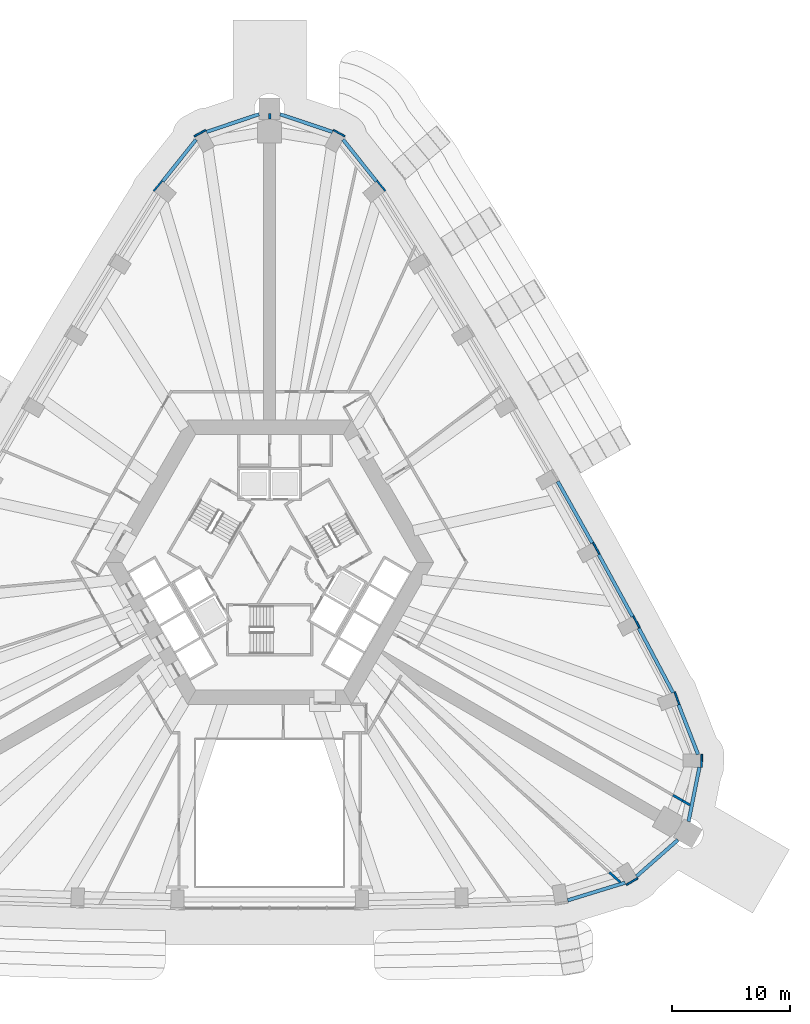
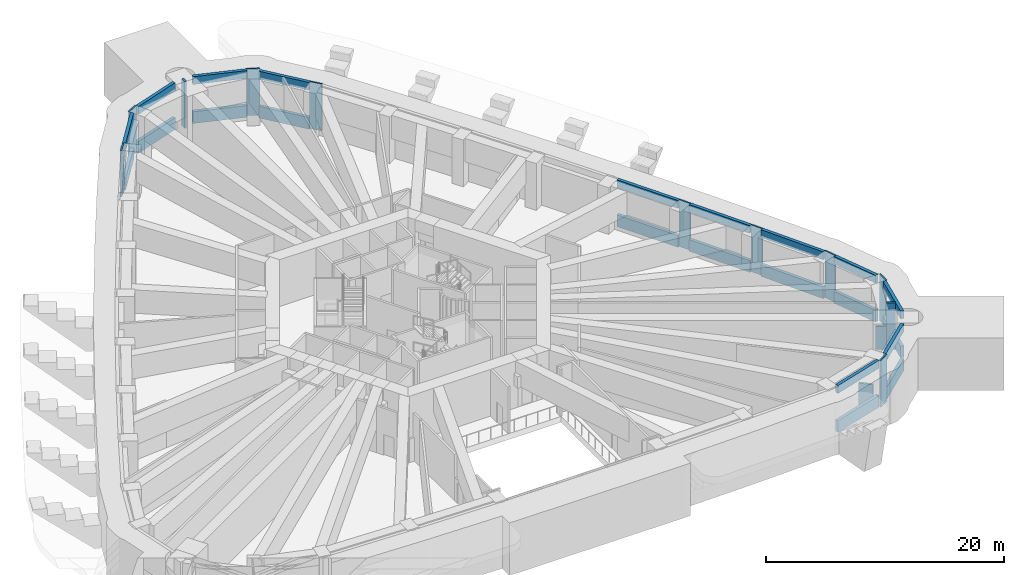
# One storey, part 10 of 20: 35 walls.
"""IFC4 building model written with IfcOpenShell, lengths in metres."""

from ifc_helpers import new_model, si_unit, direction, frame, frame_2d, origin, place, context, subcontext, project, spatial, rectangle, extrude, material, layer, layer_set, type_object, element, save


model = new_model("IFC4")

# Units and contexts
model_context = context("Model", 3, precision=1e-05, world=origin(), true_north=direction((0.0, 1.0)))
body_context = subcontext(model_context, "Body", "Model", "MODEL_VIEW")
ifc_project = project(units=[si_unit("LENGTHUNIT", "METRE"), si_unit("AREAUNIT", "SQUARE_METRE"), si_unit("VOLUMEUNIT", "CUBIC_METRE"), si_unit("PLANEANGLEUNIT", "RADIAN"), si_unit("MASSUNIT", "GRAM", prefix="KILO")], contexts=[model_context])

# Site, building, storey
site_placement = place(None, origin())
site = spatial("IfcSite", under=ifc_project, at=site_placement, CompositionType="ELEMENT")
building_placement = place(site_placement, origin())
building = spatial("IfcBuilding", under=site, at=building_placement, Name="Entoto Arch Interchange Tower", CompositionType="ELEMENT")
storey_placement = place(building_placement, frame((0.0, 0.0, 184.39990234375)))
storey = spatial("IfcBuildingStorey", under=building, at=storey_placement, Name="L41", CompositionType="ELEMENT", Elevation=184.39990234375)

# Walls
ifc_material_1 = material(Name="Gypsum board partition on steel studs", Category="steel")
ifc_layer_1 = layer(ifc_material_1, 0.199951171875)
ifc_layer_set_1 = layer_set([ifc_layer_1], Name="Gypsum board partition on steel studs")
wall_type_1 = type_object("IfcWallType", Name="PARTITION 200", PredefinedType="PARTITIONING", material=ifc_layer_set_1)
wall_1_placement = place(storey_placement, frame((0.0, 39.908935546875, 0.0), z_axis=(0.0, 0.0, 1.0), x_axis=(0.0, 1.0, 0.0)))
element("IfcWall", 1, at=wall_1_placement, inside=storey, type_object=wall_type_1, Name="wall:L41:p051", PredefinedType="PARTITIONING", context=body_context, shape_type="SweptSolid", body=[
    extrude(rectangle(XDim=0.5, YDim=0.199951171875, at=frame_2d((0.25, 0.0))), origin(), (0.0, 0.0, 1.0), 4.800048828125),
])
wall_2_placement = place(storey_placement, frame((28.69189453125, -23.679931640625, 0.0), z_axis=(0.0, 0.0, 1.0), x_axis=(0.738764319848, -0.67396385639, 0.0)))
element("IfcWall", 2, at=wall_2_placement, inside=storey, type_object=wall_type_1, Name="wall:L41:p036", PredefinedType="PARTITIONING", context=body_context, shape_type="SweptSolid", body=[
    extrude(rectangle(XDim=1.250732421875, YDim=0.199951171875, at=frame_2d((0.62548828125, 0.0))), origin(), (0.0, 0.0, 1.0), 2.400146484375),
])
wall_3_placement = place(storey_placement, frame((34.052001953125, -17.158935546875, 0.0), z_axis=(0.0, 0.0, 1.0), x_axis=(0.865780375256, -0.500424161908, 0.0)))
element("IfcWall", 3, at=wall_3_placement, inside=storey, type_object=wall_type_1, Name="wall:L41:p038", PredefinedType="PARTITIONING", context=body_context, shape_type="SweptSolid", body=[
    extrude(rectangle(XDim=0.943603515625, YDim=0.199951171875, at=frame_2d((0.4716796875, 0.0))), origin(), (0.0, 0.0, 1.0), 2.400146484375),
])
wall_4_placement = place(storey_placement, frame((34.868896484375, -17.631103515625, 0.0), z_axis=(0.0, 0.0, 1.0), x_axis=(0.866324606874, -0.499481406586, 0.0)))
element("IfcWall", 4, at=wall_4_placement, inside=storey, type_object=wall_type_1, Name="wall:L41:p038", PredefinedType="PARTITIONING", context=body_context, shape_type="SweptSolid", body=[
    extrude(rectangle(XDim=0.730712890625, YDim=0.199951171875, at=frame_2d((0.365234375, 0.0))), origin(), (0.0, 0.0, 1.0), 4.800048828125),
])
ifc_material_2 = material(Name="Board-marked precast concrete C50/60", Category="concrete")
ifc_layer_2 = layer(ifc_material_2, 0.14990234375)
ifc_layer_set_2 = layer_set([ifc_layer_2], Name="Board-marked precast concrete C50/60")
wall_type_2 = type_object("IfcWallType", Name="PRECAST FRAME WALL 150", PredefinedType="STANDARD", material=ifc_layer_set_2)
for number, where, z_axis, x_axis, name in (
    (5, (6.363037109375, 38.467041015625, 0.0), (0.0, 0.0, 1.0), (-0.877929486755, 0.478789950068, 0.0), "Frame pier N1 L41"),
    (6, (-5.39697265625, 38.993896484375, 0.0), (0.0, 0.0, 1.0), (-0.877929486755, -0.478789950068, 0.0), "Frame pier N3 L41"),
    (7, (34.591064453125, -9.4951171875, 0.0), (0.0, 0.0, 1.0), (-0.346353054777, 0.93810423805, 0.0), "Frame pier NE01 L41"),
):
    element("IfcWall", number, at=place(storey_placement, frame(where, z_axis=z_axis, x_axis=x_axis)), inside=storey, type_object=wall_type_2, Name=name, PredefinedType="STANDARD", context=body_context, shape_type="SweptSolid", body=[
        extrude(rectangle(XDim=1.100341796875, YDim=0.14990234375, at=frame_2d((0.55029296875, 0.0))), origin(), (0.0, 0.0, 1.0), 4.800048828125),
    ])
for number, where, z_axis, x_axis, name in (
    (8, (31.238037109375, -3.02001953125, 0.0), (0.0, 0.0, 1.0), (-0.470058271093, 0.88263538439, 0.0), "Frame pier NE02 L41"),
    (9, (27.85302734375, 3.194091796875, 0.0), (0.0, 0.0, 1.0), (-0.481850587491, 0.876253394478, 0.0), "Frame pier NE03 L41"),
    (10, (9.77490234375, 33.85791015625, 0.0), (0.0, 0.0, 1.0), (-0.638961107865, 0.769239041285, 0.0), "Frame pier NE08 L41"),
    (11, (-9.072021484375, 34.7041015625, 0.0), (0.0, 0.0, 1.0), (-0.638961107865, -0.769239041285, 0.0), "Frame pier NW01 L41"),
):
    element("IfcWall", number, at=place(storey_placement, frame(where, z_axis=z_axis, x_axis=x_axis)), inside=storey, type_object=wall_type_2, Name=name, PredefinedType="STANDARD", context=body_context, shape_type="SweptSolid", body=[
        extrude(rectangle(XDim=1.10009765625, YDim=0.14990234375, at=frame_2d((0.550048828125, 0.0))), origin(), (0.0, 0.0, 1.0), 4.800048828125),
    ])
wall_5_placement = place(storey_placement, frame((30.132080078125, -24.743896484375, 0.0), z_axis=(0.0, 0.0, 1.0), x_axis=(0.854104197553, 0.520101932051, 0.0)))
element("IfcWall", 12, at=wall_5_placement, inside=storey, type_object=wall_type_2, Name="Frame pier SE1 L41", PredefinedType="STANDARD", context=body_context, shape_type="SweptSolid", body=[
    extrude(rectangle(XDim=1.099365234375, YDim=0.14990234375, at=frame_2d((0.5498046875, 0.0))), origin(), (0.0, 0.0, 1.0), 4.800048828125),
])
wall_6_placement = place(storey_placement, frame((36.468994140625, -14.822998046875, 0.0), z_axis=(0.0, 0.0, 1.0), x_axis=(0.023739424163, 0.999718180159, 0.0)))
element("IfcWall", 13, at=wall_6_placement, inside=storey, type_object=wall_type_2, Name="Frame pier SE3 L41", PredefinedType="STANDARD", context=body_context, shape_type="SweptSolid", body=[
    extrude(rectangle(XDim=1.100341796875, YDim=0.14990234375, at=frame_2d((0.55029296875, 0.0))), origin(), (0.0, 0.0, 1.0), 4.800048828125),
])
ifc_layer_3 = layer(ifc_material_2, 0.300048828125)
ifc_layer_set_3 = layer_set([ifc_layer_3], Name="Board-marked precast concrete C50/60")
wall_type_3 = type_object("IfcWallType", Name="PRECAST FRAME WALL 300", PredefinedType="STANDARD", material=ifc_layer_set_3)
wall_7_placement = place(storey_placement, frame((25.173095703125, -26.044921875, 0.0), z_axis=(0.0, 0.0, 1.0), x_axis=(0.955892434745, 0.293716961031, 0.0)))
element("IfcWall", 14, at=wall_7_placement, inside=storey, type_object=wall_type_3, Name="Frame sill wall SE-01 L41", PredefinedType="STANDARD", context=body_context, shape_type="SweptSolid", body=[
    extrude(rectangle(XDim=5.069580078125, YDim=0.300048828125, at=frame_2d((2.53466796875, 0.0))), origin(), (0.0, 0.0, 1.0), 1.2001953125),
])
wall_8_placement = place(storey_placement, frame((25.173095703125, -26.044921875, 4.0), z_axis=(0.0, 0.0, 1.0), x_axis=(0.955892434745, 0.293716961031, 0.0)))
element("IfcWall", 15, at=wall_8_placement, inside=storey, type_object=wall_type_3, Name="Frame head wall SE-01 L41", PredefinedType="STANDARD", context=body_context, shape_type="SweptSolid", body=[
    extrude(rectangle(XDim=5.069580078125, YDim=0.300048828125, at=frame_2d((2.53466796875, 0.0))), origin(), (0.0, 0.0, 1.0), 0.800048828125),
])
wall_9_placement = place(storey_placement, frame((30.97998046875, -24.02294921875, 0.0), z_axis=(0.0, 0.0, 1.0), x_axis=(0.750235237227, 0.661170998171, 0.0)))
element("IfcWall", 16, at=wall_9_placement, inside=storey, type_object=wall_type_3, Name="Frame sill wall SE-02 L41", PredefinedType="STANDARD", context=body_context, shape_type="SweptSolid", body=[
    extrude(rectangle(XDim=4.659912109375, YDim=0.300048828125, at=frame_2d((2.330078125, 0.0))), origin(), (0.0, 0.0, 1.0), 1.2001953125),
])
wall_10_placement = place(storey_placement, frame((30.97998046875, -24.02294921875, 4.0), z_axis=(0.0, 0.0, 1.0), x_axis=(0.750235237227, 0.661170998171, 0.0)))
element("IfcWall", 17, at=wall_10_placement, inside=storey, type_object=wall_type_3, Name="Frame head wall SE-02 L41", PredefinedType="STANDARD", context=body_context, shape_type="SweptSolid", body=[
    extrude(rectangle(XDim=4.659912109375, YDim=0.300048828125, at=frame_2d((2.330078125, 0.0))), origin(), (0.0, 0.0, 1.0), 0.800048828125),
])
wall_11_placement = place(storey_placement, frame((35.375, -19.385009765625, 0.0), z_axis=(0.0, 0.0, 1.0), x_axis=(0.197466415614, 0.980309652459, 0.0)))
element("IfcWall", 18, at=wall_11_placement, inside=storey, type_object=wall_type_3, Name="Frame sill wall SE-03 L41", PredefinedType="STANDARD", context=body_context, shape_type="SweptSolid", body=[
    extrude(rectangle(XDim=4.65869140625, YDim=0.300048828125, at=frame_2d((2.329345703125, 0.0))), origin(), (0.0, 0.0, 1.0), 1.2001953125),
])
wall_12_placement = place(storey_placement, frame((35.375, -19.385009765625, 4.0), z_axis=(0.0, 0.0, 1.0), x_axis=(0.197466415614, 0.980309652459, 0.0)))
element("IfcWall", 19, at=wall_12_placement, inside=storey, type_object=wall_type_3, Name="Frame head wall SE-03 L41", PredefinedType="STANDARD", context=body_context, shape_type="SweptSolid", body=[
    extrude(rectangle(XDim=4.65869140625, YDim=0.300048828125, at=frame_2d((2.329345703125, 0.0))), origin(), (0.0, 0.0, 1.0), 0.800048828125),
])
wall_13_placement = place(storey_placement, frame((36.177001953125, -13.717041015625, 0.0), z_axis=(0.0, 0.0, 1.0), x_axis=(-0.364813480186, 0.931080622006, 0.0)))
element("IfcWall", 20, at=wall_13_placement, inside=storey, type_object=wall_type_3, Name="Frame sill wall SE-04 L41", PredefinedType="STANDARD", context=body_context, shape_type="SweptSolid", body=[
    extrude(rectangle(XDim=4.511962890625, YDim=0.300048828125, at=frame_2d((2.255859375, 0.0))), origin(), (0.0, 0.0, 1.0), 1.2001953125),
])
wall_14_placement = place(storey_placement, frame((36.177001953125, -13.717041015625, 4.0), z_axis=(0.0, 0.0, 1.0), x_axis=(-0.364813480186, 0.931080622006, 0.0)))
element("IfcWall", 21, at=wall_14_placement, inside=storey, type_object=wall_type_3, Name="Frame head wall SE-04 L41", PredefinedType="STANDARD", context=body_context, shape_type="SweptSolid", body=[
    extrude(rectangle(XDim=4.511962890625, YDim=0.300048828125, at=frame_2d((2.255859375, 0.0))), origin(), (0.0, 0.0, 1.0), 0.800048828125),
])
wall_15_placement = place(storey_placement, frame((34.069091796875, -8.51611328125, 0.0), z_axis=(0.0, 0.0, 1.0), x_axis=(-0.468703860557, 0.883355359467, 0.0)))
element("IfcWall", 22, at=wall_15_placement, inside=storey, type_object=wall_type_3, Name="Frame sill wall NE-01 L41", PredefinedType="STANDARD", context=body_context, shape_type="SweptSolid", body=[
    extrude(rectangle(XDim=6.183349609375, YDim=0.300048828125, at=frame_2d((3.091796875, 0.0))), origin(), (0.0, 0.0, 1.0), 1.2001953125),
])
wall_16_placement = place(storey_placement, frame((34.069091796875, -8.51611328125, 4.0), z_axis=(0.0, 0.0, 1.0), x_axis=(-0.468703860557, 0.883355359467, 0.0)))
element("IfcWall", 23, at=wall_16_placement, inside=storey, type_object=wall_type_3, Name="Frame head wall NE-01 L41", PredefinedType="STANDARD", context=body_context, shape_type="SweptSolid", body=[
    extrude(rectangle(XDim=6.183349609375, YDim=0.300048828125, at=frame_2d((3.091796875, 0.0))), origin(), (0.0, 0.0, 1.0), 0.800048828125),
])
wall_17_placement = place(storey_placement, frame((30.64990234375, -2.087890625, 0.0), z_axis=(0.0, 0.0, 1.0), x_axis=(-0.479192671498, 0.87770973766, 0.0)))
element("IfcWall", 24, at=wall_17_placement, inside=storey, type_object=wall_type_3, Name="Frame sill wall NE-02 L41", PredefinedType="STANDARD", context=body_context, shape_type="SweptSolid", body=[
    extrude(rectangle(XDim=5.976806640625, YDim=0.300048828125, at=frame_2d((2.98828125, 0.0))), origin(), (0.0, 0.0, 1.0), 1.2001953125),
])
wall_18_placement = place(storey_placement, frame((30.64990234375, -2.087890625, 4.0), z_axis=(0.0, 0.0, 1.0), x_axis=(-0.479192671498, 0.87770973766, 0.0)))
element("IfcWall", 25, at=wall_18_placement, inside=storey, type_object=wall_type_3, Name="Frame head wall NE-02 L41", PredefinedType="STANDARD", context=body_context, shape_type="SweptSolid", body=[
    extrude(rectangle(XDim=5.976806640625, YDim=0.300048828125, at=frame_2d((2.98828125, 0.0))), origin(), (0.0, 0.0, 1.0), 0.800048828125),
])
wall_19_placement = place(storey_placement, frame((27.25390625, 4.117919921875, 0.0), z_axis=(0.0, 0.0, 1.0), x_axis=(-0.489679181332, 0.871902689163, 0.0)))
element("IfcWall", 26, at=wall_19_placement, inside=storey, type_object=wall_type_3, Name="Frame sill wall NE-03 L41", PredefinedType="STANDARD", context=body_context, shape_type="SweptSolid", body=[
    extrude(rectangle(XDim=5.975341796875, YDim=0.300048828125, at=frame_2d((2.98779296875, 0.0))), origin(), (0.0, 0.0, 1.0), 1.2001953125),
])
wall_20_placement = place(storey_placement, frame((27.25390625, 4.117919921875, 4.0), z_axis=(0.0, 0.0, 1.0), x_axis=(-0.489679181332, 0.871902689163, 0.0)))
element("IfcWall", 27, at=wall_20_placement, inside=storey, type_object=wall_type_3, Name="Frame head wall NE-03 L41", PredefinedType="STANDARD", context=body_context, shape_type="SweptSolid", body=[
    extrude(rectangle(XDim=5.975341796875, YDim=0.300048828125, at=frame_2d((2.98779296875, 0.0))), origin(), (0.0, 0.0, 1.0), 0.800048828125),
])
wall_21_placement = place(storey_placement, frame((9.02294921875, 34.662109375, 0.0), z_axis=(0.0, 0.0, 1.0), x_axis=(-0.623651555058, 0.781702461218, 0.0)))
element("IfcWall", 28, at=wall_21_placement, inside=storey, type_object=wall_type_3, Name="Frame sill wall N-01 L41", PredefinedType="STANDARD", context=body_context, shape_type="SweptSolid", body=[
    extrude(rectangle(XDim=4.510498046875, YDim=0.300048828125, at=frame_2d((2.25537109375, 0.0))), origin(), (0.0, 0.0, 1.0), 1.2001953125),
])
wall_22_placement = place(storey_placement, frame((9.02294921875, 34.662109375, 4.0), z_axis=(0.0, 0.0, 1.0), x_axis=(-0.623651555058, 0.781702461218, 0.0)))
element("IfcWall", 29, at=wall_22_placement, inside=storey, type_object=wall_type_3, Name="Frame head wall N-01 L41", PredefinedType="STANDARD", context=body_context, shape_type="SweptSolid", body=[
    extrude(rectangle(XDim=4.510498046875, YDim=0.300048828125, at=frame_2d((2.25537109375, 0.0))), origin(), (0.0, 0.0, 1.0), 0.800048828125),
])
wall_23_placement = place(storey_placement, frame((5.31494140625, 38.840087890625, 0.0), z_axis=(0.0, 0.0, 1.0), x_axis=(-0.947661997786, 0.319275332514, 0.0)))
element("IfcWall", 30, at=wall_23_placement, inside=storey, type_object=wall_type_3, Name="Frame sill wall N-02 L41", PredefinedType="STANDARD", context=body_context, shape_type="SweptSolid", body=[
    extrude(rectangle(XDim=4.659912109375, YDim=0.300048828125, at=frame_2d((2.330078125, 0.0))), origin(), (0.0, 0.0, 1.0), 1.2001953125),
])
wall_24_placement = place(storey_placement, frame((5.31494140625, 38.840087890625, 4.0), z_axis=(0.0, 0.0, 1.0), x_axis=(-0.947661997786, 0.319275332514, 0.0)))
element("IfcWall", 31, at=wall_24_placement, inside=storey, type_object=wall_type_3, Name="Frame head wall N-02 L41", PredefinedType="STANDARD", context=body_context, shape_type="SweptSolid", body=[
    extrude(rectangle(XDim=4.659912109375, YDim=0.300048828125, at=frame_2d((2.330078125, 0.0))), origin(), (0.0, 0.0, 1.0), 0.800048828125),
])
wall_25_placement = place(storey_placement, frame((-0.89892578125, 40.327880859375, 0.0), z_axis=(0.0, 0.0, 1.0), x_axis=(-0.947661997786, -0.319275332514, 0.0)))
element("IfcWall", 32, at=wall_25_placement, inside=storey, type_object=wall_type_3, Name="Frame sill wall N-03 L41", PredefinedType="STANDARD", context=body_context, shape_type="SweptSolid", body=[
    extrude(rectangle(XDim=4.659912109375, YDim=0.300048828125, at=frame_2d((2.330078125, 0.0))), origin(), (0.0, 0.0, 1.0), 1.2001953125),
])
wall_26_placement = place(storey_placement, frame((-0.89892578125, 40.327880859375, 4.0), z_axis=(0.0, 0.0, 1.0), x_axis=(-0.947661997786, -0.319275332514, 0.0)))
element("IfcWall", 33, at=wall_26_placement, inside=storey, type_object=wall_type_3, Name="Frame head wall N-03 L41", PredefinedType="STANDARD", context=body_context, shape_type="SweptSolid", body=[
    extrude(rectangle(XDim=4.659912109375, YDim=0.300048828125, at=frame_2d((2.330078125, 0.0))), origin(), (0.0, 0.0, 1.0), 0.800048828125),
])
wall_27_placement = place(storey_placement, frame((-6.2099609375, 38.18798828125, 0.0), z_axis=(0.0, 0.0, 1.0), x_axis=(-0.623651555058, -0.781702461218, 0.0)))
element("IfcWall", 34, at=wall_27_placement, inside=storey, type_object=wall_type_3, Name="Frame sill wall N-04 L41", PredefinedType="STANDARD", context=body_context, shape_type="SweptSolid", body=[
    extrude(rectangle(XDim=4.510498046875, YDim=0.300048828125, at=frame_2d((2.25537109375, 0.0))), origin(), (0.0, 0.0, 1.0), 1.2001953125),
])
wall_28_placement = place(storey_placement, frame((-6.2099609375, 38.18798828125, 4.0), z_axis=(0.0, 0.0, 1.0), x_axis=(-0.623651555058, -0.781702461218, 0.0)))
element("IfcWall", 35, at=wall_28_placement, inside=storey, type_object=wall_type_3, Name="Frame head wall N-04 L41", PredefinedType="STANDARD", context=body_context, shape_type="SweptSolid", body=[
    extrude(rectangle(XDim=4.510498046875, YDim=0.300048828125, at=frame_2d((2.25537109375, 0.0))), origin(), (0.0, 0.0, 1.0), 0.800048828125),
])

save(model, "model.ifc")
